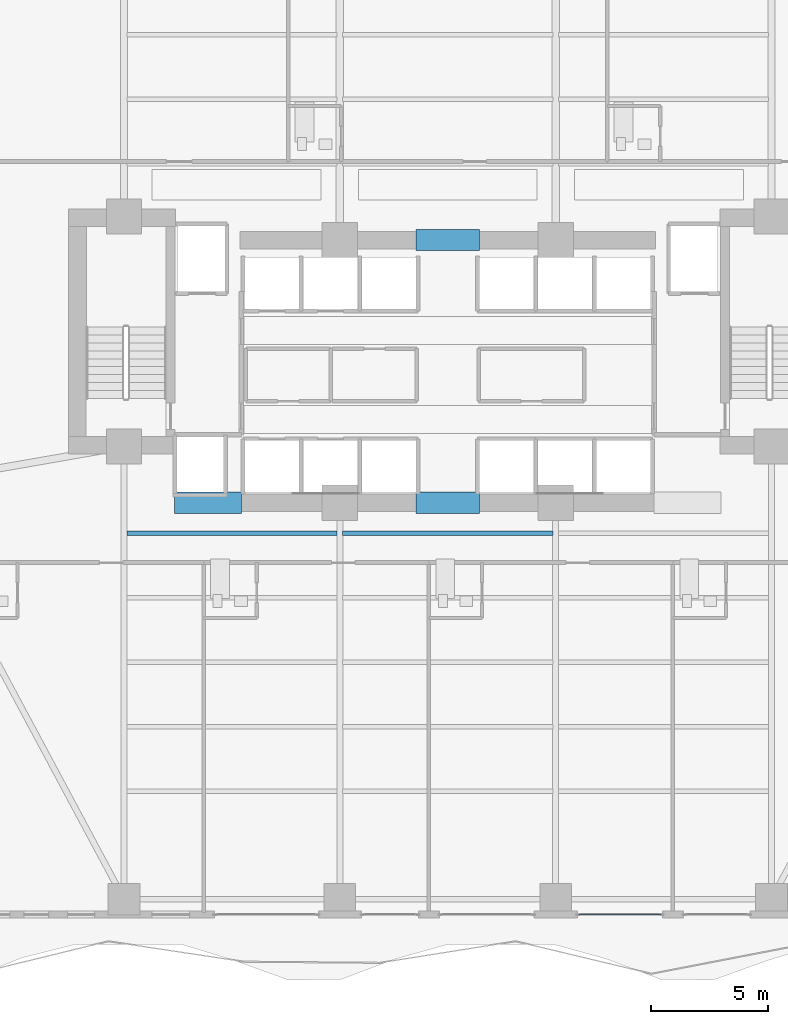
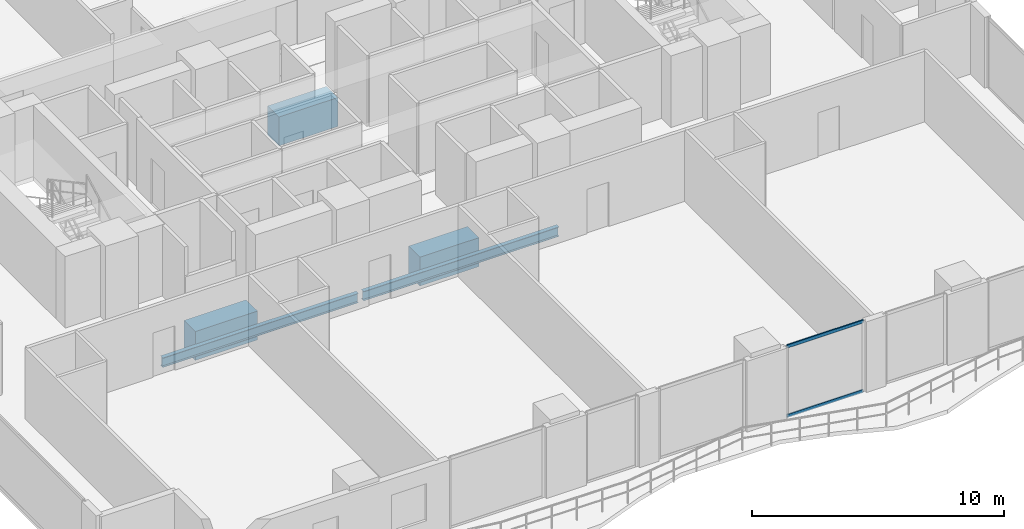
# One storey, part 8 of 28: 5 beams, 2 members, 1 element without a shape of its own.
"""IFC4 building model written with IfcOpenShell, lengths in metres."""

from ifc_helpers import new_model, si_unit, direction, frame, origin, origin_2d, place, context, subcontext, project, spatial, rectangle, hollow_rectangle, i_section, extrude, material, layer, layer_set, material_profile, profile_set, type_object, element, aggregate, save


model = new_model("IFC4")

# Units and contexts
model_context = context("Model", 3, precision=1e-05, world=origin(), true_north=direction((0.0, 1.0)))
body_context = subcontext(model_context, "Body", "Model", "MODEL_VIEW")
ifc_project = project(units=[si_unit("LENGTHUNIT", "METRE"), si_unit("AREAUNIT", "SQUARE_METRE"), si_unit("VOLUMEUNIT", "CUBIC_METRE"), si_unit("PLANEANGLEUNIT", "RADIAN"), si_unit("MASSUNIT", "GRAM", prefix="KILO")], contexts=[model_context])

# Site, building, storey
site_placement = place(None, origin())
site = spatial("IfcSite", under=ifc_project, at=site_placement, CompositionType="ELEMENT")
building_placement = place(site_placement, origin())
building = spatial("IfcBuilding", under=site, at=building_placement, Name="Zuhayl Quay Hotel", CompositionType="ELEMENT")
storey_placement = place(building_placement, frame((0.0, 0.0, 139.449951171875)))
storey = spatial("IfcBuildingStorey", under=building, at=storey_placement, Name="L35", CompositionType="ELEMENT", Elevation=139.449951171875)

# Beams
ifc_material_1 = material(Name="Concrete C60/75", Category="concrete")
ifc_material_profile_1 = material_profile(ifc_material_1, rectangle(XDim=0.89990234375, YDim=1.39990234375, at=origin_2d()), Name="RC900X1400")
ifc_profile_set_1 = profile_set([ifc_material_profile_1], Name="Concrete C60/75")
beam_type_1 = type_object("IfcBeamType", Name="BM_CB1_RC900", PredefinedType="T_BEAM", material=ifc_profile_set_1)
beam_placement = place(storey_placement, frame((-11.64990234375, 2.14990234375, -0.919921875), z_axis=(1.0, 0.0, 0.0), x_axis=(0.0, 1.0, 0.0)))
element("IfcBeam", 1, at=beam_placement, inside=storey, type_object=beam_type_1, Name="L35 Core Coupling Beam SW", PredefinedType="T_BEAM", context=body_context, shape_type="SweptSolid", body=[
    extrude(rectangle(XDim=0.89990234375, YDim=1.39990234375, at=origin_2d()), origin(), (0.0, 0.0, 1.0), 2.849853515625),
])
for number, where, z_axis, x_axis, name in (
    (2, (-1.35009765625, 13.35009765625, -0.919921875), (1.0, 0.0, 0.0), (0.0, 1.0, 0.0), "L35 Core Coupling Beam North"),
    (3, (-1.35009765625, 2.14990234375, -0.919921875), (1.0, 0.0, 0.0), (0.0, 1.0, 0.0), "L35 Core Coupling Beam South"),
):
    element("IfcBeam", number, at=place(storey_placement, frame(where, z_axis=z_axis, x_axis=x_axis)), inside=storey, type_object=beam_type_1, Name=name, PredefinedType="T_BEAM", context=body_context, shape_type="SweptSolid", body=[
        extrude(rectangle(XDim=0.89990234375, YDim=1.39990234375, at=origin_2d()), origin(), (0.0, 0.0, 1.0), 2.7001953125),
    ])
ifc_material_2 = material(Name="Steel ASTM A992 Grade 50", Category="steel")
ifc_material_profile_2 = material_profile(ifc_material_2, i_section(OverallWidth=0.18994140625, OverallDepth=0.45703125, WebThickness=0.009033203125, FlangeThickness=0.014404296875, at=origin_2d()), Name="W18X50")
ifc_profile_set_2 = profile_set([ifc_material_profile_2], Name="Steel ASTM A992 Grade 50")
beam_type_2 = type_object("IfcBeamType", Name="BM_J2_W18X50", PredefinedType="JOIST", material=ifc_profile_set_2)
for number, where, z_axis, x_axis, name in (
    (4, (-13.680908203125, 0.85009765625, -0.448486328125), (1.0, 0.0, 0.0), (0.0, 1.0, 0.0), "L35 Floor Beam FJ_L35_9_1"),
    (5, (-4.48095703125, 0.85009765625, -0.448486328125), (1.0, 0.0, 0.0), (0.0, 1.0, 0.0), "L35 Floor Beam FJ_L35_9_2"),
):
    element("IfcBeam", number, at=place(storey_placement, frame(where, z_axis=z_axis, x_axis=x_axis)), inside=storey, type_object=beam_type_2, Name=name, PredefinedType="JOIST", context=body_context, shape_type="SweptSolid", body=[
        extrude(i_section(OverallWidth=0.18994140625, OverallDepth=0.45703125, WebThickness=0.009033203125, FlangeThickness=0.014404296875, at=origin_2d()), origin(), (0.0, 0.0, 1.0), 8.9619140625),
    ])

# Curtain wall, members
ifc_material_3 = material(Name="Anodised Aluminium 6063-T6", Category="aluminium")
ifc_layer = layer(ifc_material_3, 0.179931640625, Name="Anodised Aluminium 6063-T6", Category="aluminium")
ifc_layer_set = layer_set([ifc_layer], Name="Anodised Aluminium 6063-T6")
curtain_wall_type = type_object("IfcCurtainWallType", Name="CW_SYS_Z2", PredefinedType="USERDEFINED", material=ifc_layer_set)
curtain_wall_placement = place(storey_placement, origin())
curtain_wall = element("IfcCurtainWall", 6, at=curtain_wall_placement, inside=storey, type_object=curtain_wall_type, Name="L35 Curtain Wall ENV_L35_S_CW3", ObjectType="UNITISED CURTAIN WALL", PredefinedType="USERDEFINED")
ifc_material_4 = material(Name="Black-anodised aluminium 6063-T6", Category="aluminium")
ifc_material_profile_3 = material_profile(ifc_material_4, hollow_rectangle(XDim=0.06005859375, YDim=0.14990234375, WallThickness=0.00341796875, at=origin_2d()), Name="ALU150X60")
ifc_profile_set_3 = profile_set([ifc_material_profile_3], Name="Black-anodised aluminium 6063-T6")
member_type = type_object("IfcMemberType", Name="MB_CW_TRN_150", PredefinedType="USERDEFINED", material=ifc_profile_set_3)
member_1_placement = place(storey_placement, frame((9.0849609375, -15.39990234375, 0.030029296875), z_axis=(-1.0, 0.0, 0.0), x_axis=(0.0, -1.0, 0.0)))
member_1 = element("IfcMember", 7, at=member_1_placement, type_object=member_type, Name="CW-Z2 transom 1.1", ObjectType="TRANSOM", PredefinedType="USERDEFINED", context=body_context, shape_type="SweptSolid", body=[
    extrude(hollow_rectangle(XDim=0.06005859375, YDim=0.14990234375, WallThickness=0.00341796875, at=origin_2d()), origin(), (0.0, 0.0, 1.0), 3.5),
])
member_2_placement = place(storey_placement, frame((9.0849609375, -15.39990234375, 3.400146484375), z_axis=(-1.0, 0.0, 0.0), x_axis=(0.0, -1.0, 0.0)))
member_2 = element("IfcMember", 8, at=member_2_placement, type_object=member_type, Name="CW-Z2 transom 1.2", ObjectType="TRANSOM", PredefinedType="USERDEFINED", context=body_context, shape_type="SweptSolid", body=[
    extrude(hollow_rectangle(XDim=0.06005859375, YDim=0.14990234375, WallThickness=0.00341796875, at=origin_2d()), origin(), (0.0, 0.0, 1.0), 3.5),
])
aggregate(curtain_wall, [member_1, member_2])

save(model, "model.ifc")
